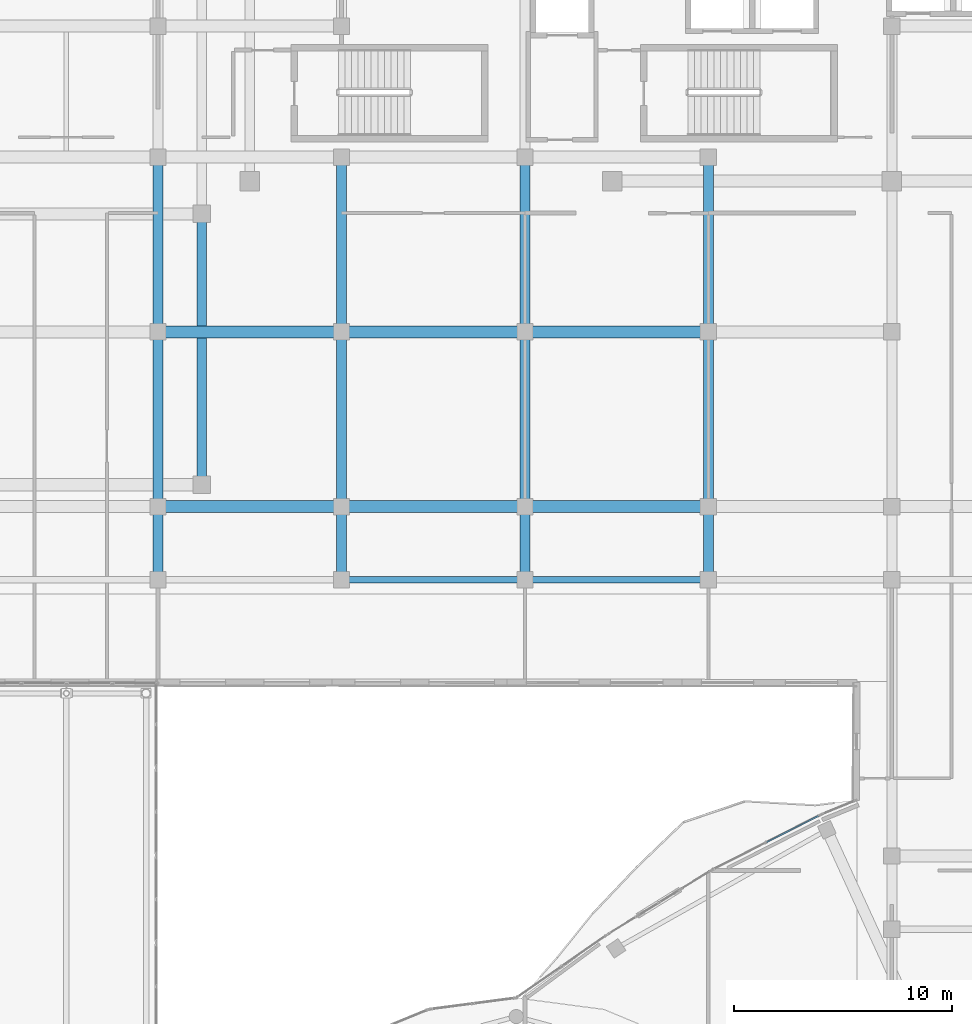
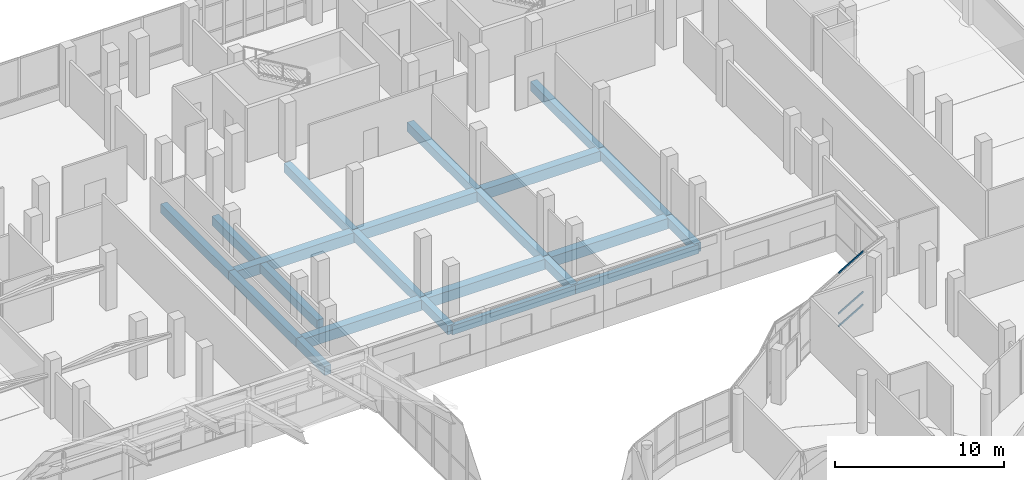
# One storey, part 107 of 184: 21 beams, 3 members, 1 element without a shape of its own.
"""IFC4 building model written with IfcOpenShell, lengths in metres."""

from ifc_helpers import new_model, si_unit, direction, frame, origin, origin_2d, place, context, subcontext, project, spatial, rectangle, hollow_rectangle, extrude, material, material_profile, profile_set, type_object, element, aggregate, save


model = new_model("IFC4")

# Units and contexts
model_context = context("Model", 3, precision=1e-05, world=origin(), true_north=direction((0.0, 1.0)))
body_context = subcontext(model_context, "Body", "Model", "MODEL_VIEW")
ifc_project = project(units=[si_unit("LENGTHUNIT", "METRE"), si_unit("AREAUNIT", "SQUARE_METRE"), si_unit("VOLUMEUNIT", "CUBIC_METRE"), si_unit("PLANEANGLEUNIT", "RADIAN"), si_unit("MASSUNIT", "GRAM", prefix="KILO")], contexts=[model_context])

# Site, building, storey
site_placement = place(None, origin())
site = spatial("IfcSite", under=ifc_project, at=site_placement, CompositionType="ELEMENT")
building_placement = place(site_placement, origin())
building = spatial("IfcBuilding", under=site, at=building_placement, Name="Selatvlak General Hospital", CompositionType="ELEMENT")
storey_placement = place(building_placement, frame((0.0, 0.0, 15.0)))
storey = spatial("IfcBuildingStorey", under=building, at=storey_placement, Name="L03", CompositionType="ELEMENT", Elevation=15.0)

# Beams
ifc_material_1 = material(Name="Concrete C40/50", Category="concrete")
ifc_material_profile_1 = material_profile(ifc_material_1, rectangle(XDim=0.550048828125, YDim=0.75, at=origin_2d()), Name="RC-BM 550x750")
ifc_profile_set_1 = profile_set([ifc_material_profile_1], Name="Concrete C40/50")
beam_type_1 = type_object("IfcBeamType", Name="BM-G02", PredefinedType="BEAM", material=ifc_profile_set_1)
for number, where, z_axis, x_axis, name in (
    (1, (81.60009765625, 92.0, -0.715087890625), (1.0, 0.0, 0.0), (0.0, 1.0, 0.0), "Beam BMR-L03-1210"),
    (2, (90.0, 92.0, -0.715087890625), (1.0, 0.0, 0.0), (0.0, 1.0, 0.0), "Beam BMR-L03-1211"),
):
    element("IfcBeam", number, at=place(storey_placement, frame(where, z_axis=z_axis, x_axis=x_axis)), inside=storey, type_object=beam_type_1, Name=name, PredefinedType="BEAM", context=body_context, shape_type="SweptSolid", body=[
        extrude(rectangle(XDim=0.550048828125, YDim=0.75, at=origin_2d()), origin(), (0.0, 0.0, 1.0), 8.39990234375),
    ])
beam_1_placement = place(storey_placement, frame((98.39990234375, 92.0, -0.715087890625), z_axis=(1.0, 0.0, 0.0), x_axis=(0.0, 1.0, 0.0)))
element("IfcBeam", 3, at=beam_1_placement, inside=storey, type_object=beam_type_1, Name="Beam BMR-L03-1212", PredefinedType="BEAM", context=body_context, shape_type="SweptSolid", body=[
    extrude(rectangle(XDim=0.550048828125, YDim=0.75, at=origin_2d()), origin(), (0.0, 0.0, 1.0), 8.400146484375),
])
for number, where, z_axis, x_axis, name in (
    (4, (81.60009765625, 100.0, -0.715087890625), (1.0, 0.0, 0.0), (0.0, 1.0, 0.0), "Beam BMR-L03-1232"),
    (5, (90.0, 100.0, -0.715087890625), (1.0, 0.0, 0.0), (0.0, 1.0, 0.0), "Beam BMR-L03-1233"),
):
    element("IfcBeam", number, at=place(storey_placement, frame(where, z_axis=z_axis, x_axis=x_axis)), inside=storey, type_object=beam_type_1, Name=name, PredefinedType="BEAM", context=body_context, shape_type="SweptSolid", body=[
        extrude(rectangle(XDim=0.550048828125, YDim=0.75, at=origin_2d()), origin(), (0.0, 0.0, 1.0), 8.39990234375),
    ])
beam_2_placement = place(storey_placement, frame((98.39990234375, 100.0, -0.715087890625), z_axis=(1.0, 0.0, 0.0), x_axis=(0.0, 1.0, 0.0)))
element("IfcBeam", 6, at=beam_2_placement, inside=storey, type_object=beam_type_1, Name="Beam BMR-L03-1234", PredefinedType="BEAM", context=body_context, shape_type="SweptSolid", body=[
    extrude(rectangle(XDim=0.550048828125, YDim=0.75, at=origin_2d()), origin(), (0.0, 0.0, 1.0), 8.400146484375),
])
ifc_material_profile_2 = material_profile(ifc_material_1, rectangle(XDim=0.449951171875, YDim=0.64990234375, at=origin_2d()), Name="RC-BM 450x650")
ifc_profile_set_2 = profile_set([ifc_material_profile_2], Name="Concrete C40/50")
beam_type_2 = type_object("IfcBeamType", Name="BM-G04", PredefinedType="BEAM", material=ifc_profile_set_2)
beam_3_placement = place(storey_placement, frame((81.60009765625, 88.64990234375, -0.6650390625), z_axis=(0.0, 1.0, 0.0), x_axis=(-1.0, 0.0, 0.0)))
element("IfcBeam", 7, at=beam_3_placement, inside=storey, type_object=beam_type_2, Name="Beam BMR-L03-1333", PredefinedType="BEAM", context=body_context, shape_type="SweptSolid", body=[
    extrude(rectangle(XDim=0.449951171875, YDim=0.64990234375, at=origin_2d()), origin(), (0.0, 0.0, 1.0), 3.35009765625),
])
for number, where, z_axis, x_axis, name in (
    (8, (81.60009765625, 92.0, -0.6650390625), (0.0, 1.0, 0.0), (-1.0, 0.0, 0.0), "Beam BMR-L03-1334"),
    (9, (81.60009765625, 100.0, -0.6650390625), (0.0, 1.0, 0.0), (-1.0, 0.0, 0.0), "Beam BMR-L03-1335"),
):
    element("IfcBeam", number, at=place(storey_placement, frame(where, z_axis=z_axis, x_axis=x_axis)), inside=storey, type_object=beam_type_2, Name=name, PredefinedType="BEAM", context=body_context, shape_type="SweptSolid", body=[
        extrude(rectangle(XDim=0.449951171875, YDim=0.64990234375, at=origin_2d()), origin(), (0.0, 0.0, 1.0), 8.0),
    ])
beam_4_placement = place(storey_placement, frame((83.60009765625, 93.0, -0.6650390625), z_axis=(0.0, 1.0, 0.0), x_axis=(-1.0, 0.0, 0.0)))
element("IfcBeam", 10, at=beam_4_placement, inside=storey, type_object=beam_type_2, Name="Beam BMR-L03-1338", PredefinedType="BEAM", context=body_context, shape_type="SweptSolid", body=[
    extrude(rectangle(XDim=0.449951171875, YDim=0.64990234375, at=origin_2d()), origin(), (0.0, 0.0, 1.0), 12.39990234375),
])
beam_5_placement = place(storey_placement, frame((90.0, 88.64990234375, -0.6650390625), z_axis=(0.0, 1.0, 0.0), x_axis=(-1.0, 0.0, 0.0)))
element("IfcBeam", 11, at=beam_5_placement, inside=storey, type_object=beam_type_2, Name="Beam BMR-L03-1341", PredefinedType="BEAM", context=body_context, shape_type="SweptSolid", body=[
    extrude(rectangle(XDim=0.449951171875, YDim=0.64990234375, at=origin_2d()), origin(), (0.0, 0.0, 1.0), 3.35009765625),
])
for number, where, z_axis, x_axis, name in (
    (12, (90.0, 92.0, -0.6650390625), (0.0, 1.0, 0.0), (-1.0, 0.0, 0.0), "Beam BMR-L03-1342"),
    (13, (90.0, 100.0, -0.6650390625), (0.0, 1.0, 0.0), (-1.0, 0.0, 0.0), "Beam BMR-L03-1343"),
):
    element("IfcBeam", number, at=place(storey_placement, frame(where, z_axis=z_axis, x_axis=x_axis)), inside=storey, type_object=beam_type_2, Name=name, PredefinedType="BEAM", context=body_context, shape_type="SweptSolid", body=[
        extrude(rectangle(XDim=0.449951171875, YDim=0.64990234375, at=origin_2d()), origin(), (0.0, 0.0, 1.0), 8.0),
    ])
beam_6_placement = place(storey_placement, frame((98.39990234375, 88.64990234375, -0.6650390625), z_axis=(0.0, 1.0, 0.0), x_axis=(-1.0, 0.0, 0.0)))
element("IfcBeam", 14, at=beam_6_placement, inside=storey, type_object=beam_type_2, Name="Beam BMR-L03-1345", PredefinedType="BEAM", context=body_context, shape_type="SweptSolid", body=[
    extrude(rectangle(XDim=0.449951171875, YDim=0.64990234375, at=origin_2d()), origin(), (0.0, 0.0, 1.0), 3.35009765625),
])
for number, where, z_axis, x_axis, name in (
    (15, (98.39990234375, 92.0, -0.6650390625), (0.0, 1.0, 0.0), (-1.0, 0.0, 0.0), "Beam BMR-L03-1346"),
    (16, (98.39990234375, 100.0, -0.6650390625), (0.0, 1.0, 0.0), (-1.0, 0.0, 0.0), "Beam BMR-L03-1347"),
):
    element("IfcBeam", number, at=place(storey_placement, frame(where, z_axis=z_axis, x_axis=x_axis)), inside=storey, type_object=beam_type_2, Name=name, PredefinedType="BEAM", context=body_context, shape_type="SweptSolid", body=[
        extrude(rectangle(XDim=0.449951171875, YDim=0.64990234375, at=origin_2d()), origin(), (0.0, 0.0, 1.0), 8.0),
    ])
beam_7_placement = place(storey_placement, frame((106.800048828125, 88.64990234375, -0.6650390625), z_axis=(0.0, 1.0, 0.0), x_axis=(-1.0, 0.0, 0.0)))
element("IfcBeam", 17, at=beam_7_placement, inside=storey, type_object=beam_type_2, Name="Beam BMR-L03-1349", PredefinedType="BEAM", context=body_context, shape_type="SweptSolid", body=[
    extrude(rectangle(XDim=0.449951171875, YDim=0.64990234375, at=origin_2d()), origin(), (0.0, 0.0, 1.0), 3.35009765625),
])
for number, where, z_axis, x_axis, name in (
    (18, (106.800048828125, 92.0, -0.6650390625), (0.0, 1.0, 0.0), (-1.0, 0.0, 0.0), "Beam BMR-L03-1350"),
    (19, (106.800048828125, 100.0, -0.6650390625), (0.0, 1.0, 0.0), (-1.0, 0.0, 0.0), "Beam BMR-L03-1351"),
):
    element("IfcBeam", number, at=place(storey_placement, frame(where, z_axis=z_axis, x_axis=x_axis)), inside=storey, type_object=beam_type_2, Name=name, PredefinedType="BEAM", context=body_context, shape_type="SweptSolid", body=[
        extrude(rectangle(XDim=0.449951171875, YDim=0.64990234375, at=origin_2d()), origin(), (0.0, 0.0, 1.0), 8.0),
    ])
ifc_material_profile_3 = material_profile(ifc_material_1, rectangle(XDim=0.300048828125, YDim=0.64990234375, at=origin_2d()), Name="RC-SP 300x650")
ifc_profile_set_3 = profile_set([ifc_material_profile_3], Name="Concrete C40/50")
beam_type_3 = type_object("IfcBeamType", Name="BM-SP1", PredefinedType="SPANDREL", material=ifc_profile_set_3)
beam_8_placement = place(storey_placement, frame((90.0, 88.64990234375, -0.6650390625), z_axis=(1.0, 0.0, 0.0), x_axis=(0.0, 1.0, 0.0)))
element("IfcBeam", 20, at=beam_8_placement, inside=storey, type_object=beam_type_3, Name="Beam BMR-L03-1191", PredefinedType="SPANDREL", context=body_context, shape_type="SweptSolid", body=[
    extrude(rectangle(XDim=0.300048828125, YDim=0.64990234375, at=origin_2d()), origin(), (0.0, 0.0, 1.0), 8.39990234375),
])
beam_9_placement = place(storey_placement, frame((98.39990234375, 88.64990234375, -0.6650390625), z_axis=(1.0, 0.0, 0.0), x_axis=(0.0, 1.0, 0.0)))
element("IfcBeam", 21, at=beam_9_placement, inside=storey, type_object=beam_type_3, Name="Beam BMR-L03-1192", PredefinedType="SPANDREL", context=body_context, shape_type="SweptSolid", body=[
    extrude(rectangle(XDim=0.300048828125, YDim=0.64990234375, at=origin_2d()), origin(), (0.0, 0.0, 1.0), 8.400146484375),
])

# Curtain wall, members
ifc_material_2 = material(Name="Solar-control Low-E double glazing", Category="glass")
curtain_wall_type = type_object("IfcCurtainWallType", Name="CW-CW-01", PredefinedType="USERDEFINED", material=ifc_material_2)
curtain_wall_placement = place(storey_placement, origin())
curtain_wall = element("IfcCurtainWall", 22, at=curtain_wall_placement, inside=storey, type_object=curtain_wall_type, Name="Glazed facade curtain wall CW-L03-0473", ObjectType="UNITISED CURTAIN WALL", PredefinedType="USERDEFINED")
ifc_material_3 = material(Name="Dark anodised aluminium mullion", Category="aluminium")
ifc_material_profile_4 = material_profile(ifc_material_3, hollow_rectangle(XDim=0.06494140625, YDim=0.1201171875, WallThickness=0.00390625, at=origin_2d()), Name="AL-TRN 65x120x4")
ifc_profile_set_4 = profile_set([ifc_material_profile_4], Name="Dark anodised aluminium mullion")
member_type = type_object("IfcMemberType", Name="CWT-01", PredefinedType="USERDEFINED", material=ifc_profile_set_4)
member_1_placement = place(storey_placement, frame((109.46435546875, 76.63232421875, 0.032470703125), z_axis=(0.891344322234, 0.453326923115, 0.0), x_axis=(-0.453326923115, 0.891344322234, 0.0)))
member_1 = element("IfcMember", 23, at=member_1_placement, type_object=member_type, Name="CW-01 transom 2.1", ObjectType="TRANSOM", PredefinedType="USERDEFINED", context=body_context, shape_type="SweptSolid", body=[
    extrude(hollow_rectangle(XDim=0.06494140625, YDim=0.1201171875, WallThickness=0.00390625, at=origin_2d()), origin(), (0.0, 0.0, 1.0), 2.6630859375),
])
member_2_placement = place(storey_placement, frame((109.46435546875, 76.63232421875, 0.949951171875), z_axis=(0.891344322234, 0.453326923115, 0.0), x_axis=(-0.453326923115, 0.891344322234, 0.0)))
member_2 = element("IfcMember", 24, at=member_2_placement, type_object=member_type, Name="CW-01 transom 2.2", ObjectType="TRANSOM", PredefinedType="USERDEFINED", context=body_context, shape_type="SweptSolid", body=[
    extrude(hollow_rectangle(XDim=0.06494140625, YDim=0.1201171875, WallThickness=0.00390625, at=origin_2d()), origin(), (0.0, 0.0, 1.0), 2.6630859375),
])
member_3_placement = place(storey_placement, frame((109.46435546875, 76.63232421875, 3.862548828125), z_axis=(0.891344322234, 0.453326923115, 0.0), x_axis=(-0.453326923115, 0.891344322234, 0.0)))
member_3 = element("IfcMember", 25, at=member_3_placement, type_object=member_type, Name="CW-01 transom 2.3", ObjectType="TRANSOM", PredefinedType="USERDEFINED", context=body_context, shape_type="SweptSolid", body=[
    extrude(hollow_rectangle(XDim=0.06494140625, YDim=0.1201171875, WallThickness=0.00390625, at=origin_2d()), origin(), (0.0, 0.0, 1.0), 2.6630859375),
])
aggregate(curtain_wall, [member_1, member_2, member_3])

save(model, "model.ifc")
